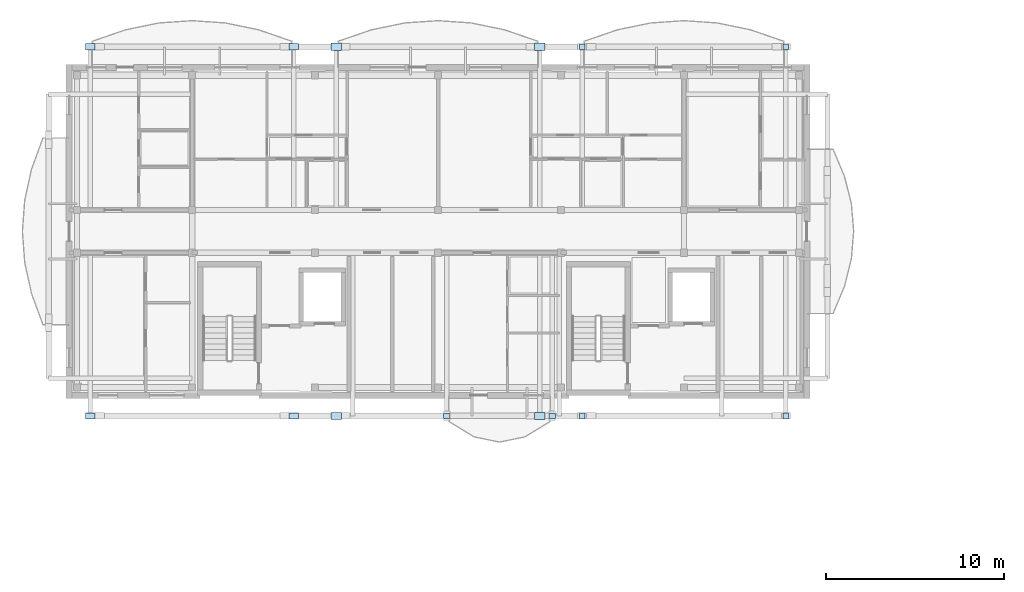
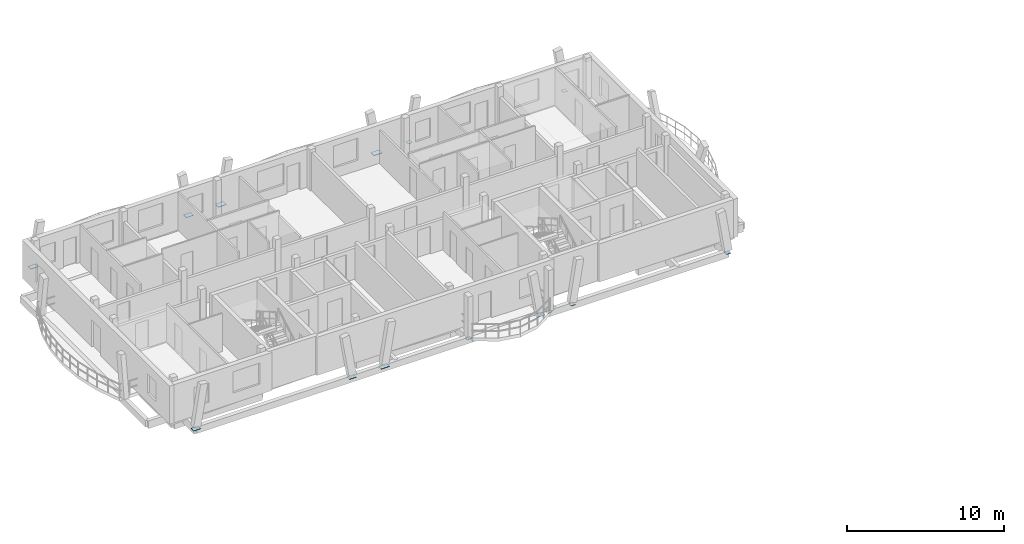
# One storey, part 10 of 41: 14 plates.
"""IFC4 building model written with IfcOpenShell, lengths in metres."""

from ifc_helpers import new_model, si_unit, direction, frame, origin, origin_2d, place, context, subcontext, project, spatial, rectangle, extrude, material, layer, layer_set, type_object, element, save


model = new_model("IFC4")

# Units and contexts
model_context = context("Model", 3, precision=1e-05, world=origin(), true_north=direction((0.0, 1.0)))
body_context = subcontext(model_context, "Body", "Model", "MODEL_VIEW")
ifc_project = project(units=[si_unit("LENGTHUNIT", "METRE"), si_unit("AREAUNIT", "SQUARE_METRE"), si_unit("VOLUMEUNIT", "CUBIC_METRE"), si_unit("PLANEANGLEUNIT", "RADIAN"), si_unit("MASSUNIT", "GRAM", prefix="KILO")], contexts=[model_context])

# Site, building, storey
site_placement = place(None, origin())
site = spatial("IfcSite", under=ifc_project, at=site_placement, CompositionType="ELEMENT")
building_placement = place(site_placement, origin())
building = spatial("IfcBuilding", under=site, at=building_placement, Name="Zavelmont Quarter", CompositionType="ELEMENT")
storey_placement = place(building_placement, frame((0.0, 0.0, 27.199951171875)))
storey = spatial("IfcBuildingStorey", under=building, at=storey_placement, Name="L08", CompositionType="ELEMENT", Elevation=27.199951171875)

# Plates
ifc_material = material(Name="Steel S355", Category="steel")
ifc_layer_1 = layer(ifc_material, 0.02392578125)
ifc_layer_set_1 = layer_set([ifc_layer_1], Name="Steel S355")
plate_type_1 = type_object("IfcPlateType", Name="NP02", PredefinedType="SHEET", material=ifc_layer_set_1)
for number, where, z_axis, x_axis, name in (
    (1, (21.199951171875, 96.43798828125, -0.2119140625), (0.0, 0.0, 1.0), (1.0, 0.0, 0.0), "L08 steel connection plate NP02 at 4/P"),
    (2, (27.10009765625, 96.43798828125, -0.2119140625), (0.0, 0.0, 1.0), (1.0, 0.0, 0.0), "L08 steel connection plate NP02 at 5/P"),
):
    element("IfcPlate", number, at=place(storey_placement, frame(where, z_axis=z_axis, x_axis=x_axis)), inside=storey, type_object=plate_type_1, Name=name, PredefinedType="SHEET", context=body_context, shape_type="SweptSolid", body=[
        extrude(rectangle(XDim=0.360107421875, YDim=0.260009765625, at=origin_2d()), origin(), (0.0, 0.0, 1.0), 0.02392578125),
    ])
ifc_layer_2 = layer(ifc_material, 0.028076171875)
ifc_layer_set_2 = layer_set([ifc_layer_2], Name="Steel S355")
plate_type_2 = type_object("IfcPlateType", Name="NP04", PredefinedType="SHEET", material=ifc_layer_set_2)
for number, where, z_axis, x_axis, name in (
    (3, (1.190185546875, 117.162109375, -0.2138671875), (0.0, 0.0, 1.0), (1.0, 0.0, 0.0), "L08 steel connection plate NP04 at 1/S"),
    (4, (12.609619140625, 117.162109375, -0.2138671875), (0.0, 0.0, 1.0), (1.0, 0.0, 0.0), "L08 steel connection plate NP04 at 3/S"),
    (5, (1.190185546875, 96.43798828125, -0.2138671875), (0.0, 0.0, 1.0), (1.0, 0.0, 0.0), "L08 steel connection plate NP04 at 1/P"),
    (6, (12.609619140625, 96.43798828125, -0.2138671875), (0.0, 0.0, 1.0), (1.0, 0.0, 0.0), "L08 steel connection plate NP04 at 3/P"),
):
    element("IfcPlate", number, at=place(storey_placement, frame(where, z_axis=z_axis, x_axis=x_axis)), inside=storey, type_object=plate_type_2, Name=name, PredefinedType="SHEET", context=body_context, shape_type="SweptSolid", body=[
        extrude(rectangle(XDim=0.52001953125, YDim=0.360107421875, at=origin_2d()), origin(), (0.0, 0.0, 1.0), 0.028076171875),
    ])
ifc_layer_3 = layer(ifc_material, 0.030029296875)
ifc_layer_set_3 = layer_set([ifc_layer_3], Name="Steel S355")
plate_type_3 = type_object("IfcPlateType", Name="NP05", PredefinedType="SHEET", material=ifc_layer_set_3)
for number, where, z_axis, x_axis, name in (
    (7, (14.990234375, 117.162109375, -0.21484375), (0.0, 0.0, 1.0), (1.0, 0.0, 0.0), "L08 steel connection plate NP05 at 3/S"),
    (8, (26.40966796875, 117.162109375, -0.21484375), (0.0, 0.0, 1.0), (1.0, 0.0, 0.0), "L08 steel connection plate NP05 at 5/S"),
    (9, (14.990234375, 96.43798828125, -0.21484375), (0.0, 0.0, 1.0), (1.0, 0.0, 0.0), "L08 steel connection plate NP05 at 3/P"),
    (10, (26.40966796875, 96.43798828125, -0.21484375), (0.0, 0.0, 1.0), (1.0, 0.0, 0.0), "L08 steel connection plate NP05 at 5/P"),
):
    element("IfcPlate", number, at=place(storey_placement, frame(where, z_axis=z_axis, x_axis=x_axis)), inside=storey, type_object=plate_type_3, Name=name, PredefinedType="SHEET", context=body_context, shape_type="SweptSolid", body=[
        extrude(rectangle(XDim=0.60009765625, YDim=0.39990234375, at=origin_2d()), origin(), (0.0, 0.0, 1.0), 0.030029296875),
    ])
ifc_layer_4 = layer(ifc_material, 0.02197265625)
ifc_layer_set_4 = layer_set([ifc_layer_4], Name="Steel S355")
plate_type_4 = type_object("IfcPlateType", Name="NP06", PredefinedType="SHEET", material=ifc_layer_set_4)
for number, where, z_axis, x_axis, name in (
    (11, (28.790283203125, 117.162109375, -0.2109375), (0.0, 0.0, 1.0), (1.0, 0.0, 0.0), "L08 steel connection plate NP06 at 5/S"),
    (12, (40.209716796875, 117.162109375, -0.2109375), (0.0, 0.0, 1.0), (1.0, 0.0, 0.0), "L08 steel connection plate NP06 at 7/S"),
    (13, (28.790283203125, 96.43798828125, -0.2109375), (0.0, 0.0, 1.0), (1.0, 0.0, 0.0), "L08 steel connection plate NP06 at 5/P"),
    (14, (40.209716796875, 96.43798828125, -0.2109375), (0.0, 0.0, 1.0), (1.0, 0.0, 0.0), "L08 steel connection plate NP06 at 7/P"),
):
    element("IfcPlate", number, at=place(storey_placement, frame(where, z_axis=z_axis, x_axis=x_axis)), inside=storey, type_object=plate_type_4, Name=name, PredefinedType="SHEET", context=body_context, shape_type="SweptSolid", body=[
        extrude(rectangle(XDim=0.320068359375, YDim=0.320068359375, at=origin_2d()), origin(), (0.0, 0.0, 1.0), 0.02197265625),
    ])

save(model, "model.ifc")
